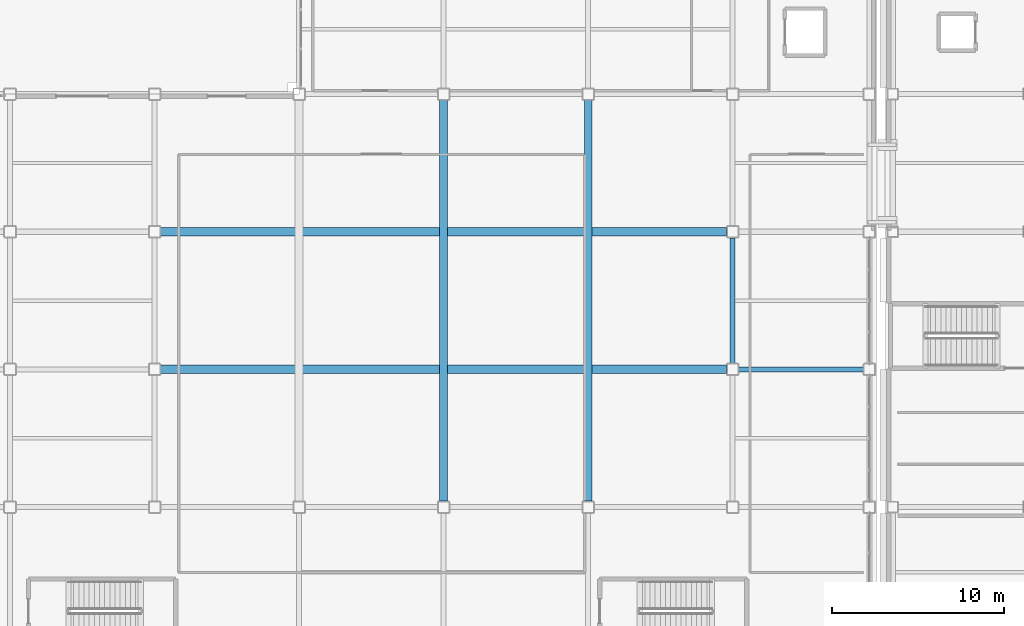
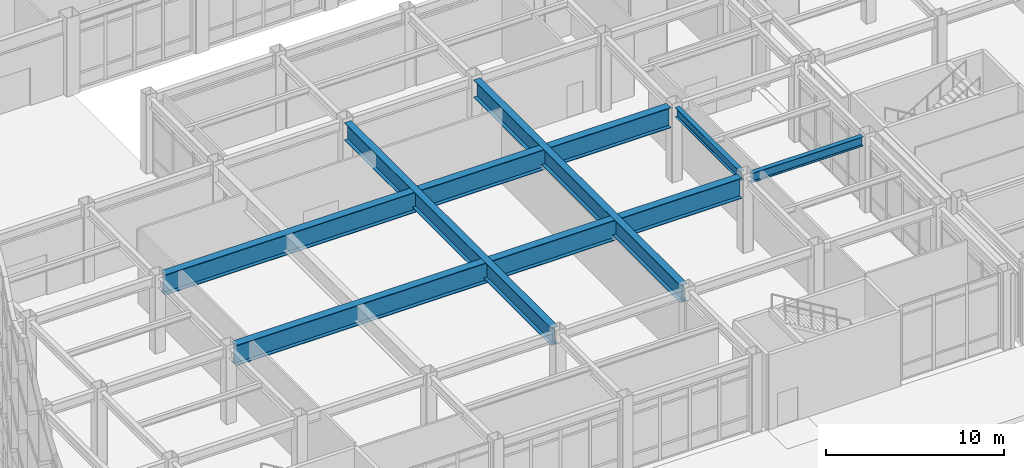
# One storey, part 17 of 165: 6 beams.
"""IFC4 building model written with IfcOpenShell, lengths in metres."""

from ifc_helpers import new_model, si_unit, direction, frame, origin, origin_2d, place, context, subcontext, project, spatial, i_section, extrude, material, material_profile, profile_set, type_object, element, save


model = new_model("IFC4")

# Units and contexts
model_context = context("Model", 3, precision=1e-05, world=origin(), true_north=direction((0.0, 1.0)))
body_context = subcontext(model_context, "Body", "Model", "MODEL_VIEW")
ifc_project = project(units=[si_unit("LENGTHUNIT", "METRE"), si_unit("AREAUNIT", "SQUARE_METRE"), si_unit("VOLUMEUNIT", "CUBIC_METRE"), si_unit("PLANEANGLEUNIT", "RADIAN"), si_unit("MASSUNIT", "GRAM", prefix="KILO")], contexts=[model_context])

# Site, building, storey
site_placement = place(None, origin())
site = spatial("IfcSite", under=ifc_project, at=site_placement, CompositionType="ELEMENT")
building_placement = place(site_placement, origin())
building = spatial("IfcBuilding", under=site, at=building_placement, Name="Kazehara Bluff Congress Hotel", CompositionType="ELEMENT")
storey_placement = place(building_placement, origin())
storey = spatial("IfcBuildingStorey", under=building, at=storey_placement, Name="L00", CompositionType="ELEMENT", Elevation=0.0)

# Beams
ifc_material_1 = material(Name="Steel SN490B", Category="steel")
ifc_material_profile_1 = material_profile(ifc_material_1, i_section(OverallWidth=0.300048828125, OverallDepth=0.64990234375, WebThickness=0.011962890625, FlangeThickness=0.02001953125, FilletRadius=0.012939453125, at=origin_2d()))
ifc_profile_set_1 = profile_set([ifc_material_profile_1], Name="Steel SN490B")
beam_type_1 = type_object("IfcBeamType", Name="TP-G-03", PredefinedType="BEAM", material=ifc_profile_set_1)
beam_1_placement = place(storey_placement, frame((50.39990234375, 16.35009765625, 4.824951171875), z_axis=(0.0, 1.0, 0.0), x_axis=(-1.0, 0.0, 0.0)))
element("IfcBeam", 1, at=beam_1_placement, inside=storey, type_object=beam_type_1, Name="L00 girder G-03 62", PredefinedType="BEAM", context=body_context, shape_type="SweptSolid", body=[
    extrude(i_section(OverallWidth=0.300048828125, OverallDepth=0.64990234375, WebThickness=0.011962890625, FlangeThickness=0.02001953125, FilletRadius=0.012939453125, at=origin_2d()), origin(), (0.0, 0.0, 1.0), 7.2998046875),
])
beam_2_placement = place(storey_placement, frame((50.75, 16.0, 4.824951171875), z_axis=(1.0, 0.0, 0.0), x_axis=(0.0, 1.0, 0.0)))
element("IfcBeam", 2, at=beam_2_placement, inside=storey, type_object=beam_type_1, Name="L00 girder G-03 83", PredefinedType="BEAM", context=body_context, shape_type="SweptSolid", body=[
    extrude(i_section(OverallWidth=0.300048828125, OverallDepth=0.64990234375, WebThickness=0.011962890625, FlangeThickness=0.02001953125, FilletRadius=0.012939453125, at=origin_2d()), origin(), (0.0, 0.0, 1.0), 7.25),
])
ifc_material_2 = material(Name="Steel SN490B", Category="steel")
ifc_material_profile_2 = material_profile(ifc_material_2, i_section(OverallWidth=0.449951171875, OverallDepth=1.199951171875, WebThickness=0.02001953125, FlangeThickness=0.031982421875, at=origin_2d()))
ifc_profile_set_2 = profile_set([ifc_material_profile_2], Name="Steel SN490B")
beam_type_2 = type_object("IfcBeamType", Name="TP-G-10", PredefinedType="BEAM", material=ifc_profile_set_2)
for number, where, z_axis, x_axis, name in (
    (3, (33.60009765625, 8.35009765625, 4.550048828125), (0.0, 1.0, 0.0), (-1.0, 0.0, 0.0), "L00 girder G-10 56"),
    (4, (42.0, 8.35009765625, 4.550048828125), (0.0, 1.0, 0.0), (-1.0, 0.0, 0.0), "L00 girder G-10 59"),
):
    element("IfcBeam", number, at=place(storey_placement, frame(where, z_axis=z_axis, x_axis=x_axis)), inside=storey, type_object=beam_type_2, Name=name, PredefinedType="BEAM", context=body_context, shape_type="SweptSolid", body=[
        extrude(i_section(OverallWidth=0.449951171875, OverallDepth=1.199951171875, WebThickness=0.02001953125, FlangeThickness=0.031982421875, at=origin_2d()), origin(), (0.0, 0.0, 1.0), 23.2998046875),
    ])
ifc_material_3 = material(Name="Steel SN490B", Category="steel")
ifc_material_profile_3 = material_profile(ifc_material_3, i_section(OverallWidth=0.5, OverallDepth=1.39990234375, WebThickness=0.02197265625, FlangeThickness=0.035888671875, at=origin_2d()))
ifc_profile_set_3 = profile_set([ifc_material_profile_3], Name="Steel SN490B")
beam_type_3 = type_object("IfcBeamType", Name="TP-G-13", PredefinedType="BEAM", material=ifc_profile_set_3)
for number, where, z_axis, x_axis, name in (
    (5, (17.14990234375, 16.0, 4.449951171875), (1.0, 0.0, 0.0), (0.0, 1.0, 0.0), "L00 girder G-13 82"),
    (6, (17.14990234375, 24.0, 4.449951171875), (1.0, 0.0, 0.0), (0.0, 1.0, 0.0), "L00 girder G-13 86"),
):
    element("IfcBeam", number, at=place(storey_placement, frame(where, z_axis=z_axis, x_axis=x_axis)), inside=storey, type_object=beam_type_3, Name=name, PredefinedType="BEAM", context=body_context, shape_type="SweptSolid", body=[
        extrude(i_section(OverallWidth=0.5, OverallDepth=1.39990234375, WebThickness=0.02197265625, FlangeThickness=0.035888671875, at=origin_2d()), origin(), (0.0, 0.0, 1.0), 32.900146484375),
    ])

save(model, "model.ifc")
